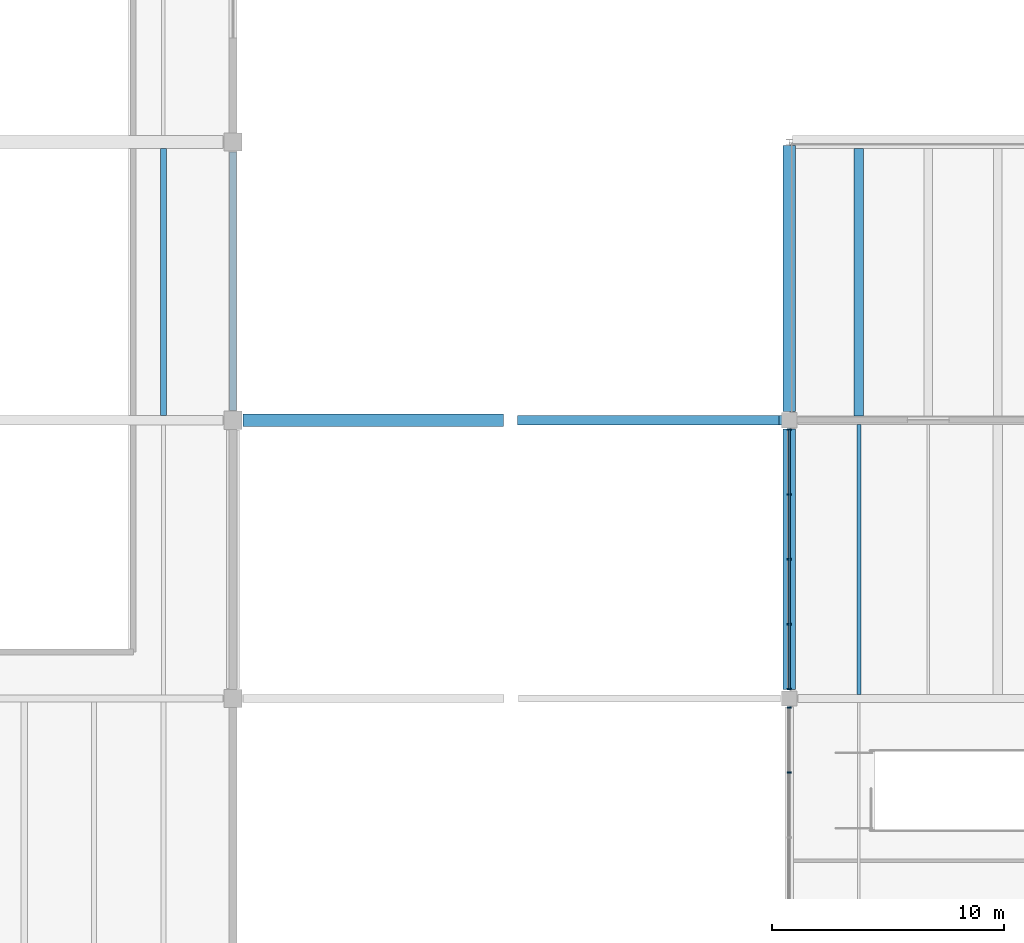
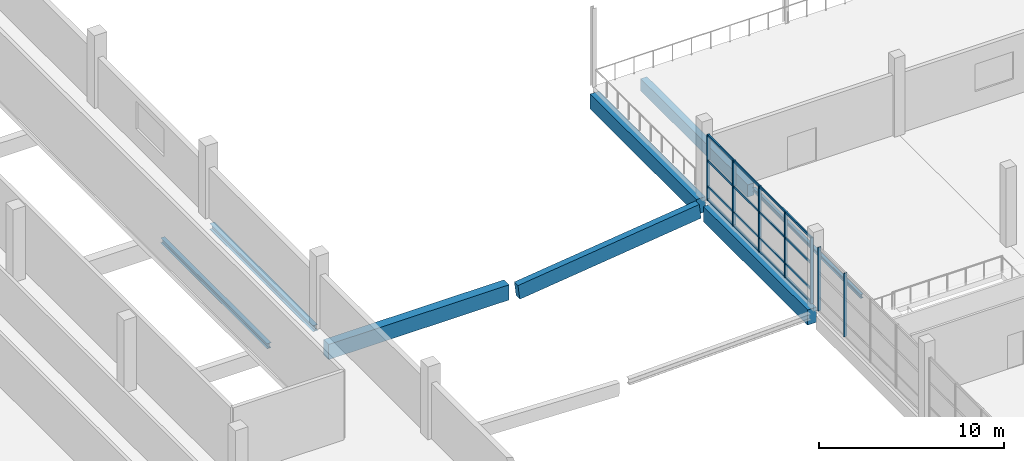
# One storey, part 20 of 112: 11 members, 8 beams, 2 elements without a shape of their own.
"""IFC4 building model written with IfcOpenShell, lengths in metres."""

import ifcopenshell
import ifcopenshell.guid

model = None  # the IFC model being written
_history = None  # IfcOwnerHistory: only IFC2X3 demands one
_inside = {}  # id of a spatial element -> (the spatial element, [elements in it])
_under = {}  # id of a project, library or spatial element -> (it, [spatial elements below it])
_declared = {}  # id of a project -> (the project, [libraries it declares])
_typed = {}  # id of a type object -> (the type object, [elements of that type])
_made_of = {}  # id of a material, layer set ... -> (it, [elements and type objects made of it])


def new_model(schema):
    """Start an empty IFC model of exactly this schema.

    Asked for "IFC4X3", IfcOpenShell would pick the latest addendum, in which some entities
    have other attributes; the version numbers below select the first issue.
    IFC2X3 requires an IfcOwnerHistory on every rooted entity: one is made here for all.
    """
    global model, _history
    if schema == "IFC4X3":
        model = ifcopenshell.file(schema_version=(4, 3, 0, 0))
    else:
        model = ifcopenshell.file(schema=schema)
    _inside.clear()
    _under.clear()
    _declared.clear()
    _typed.clear()
    _made_of.clear()
    _history = None
    if model.schema == "IFC2X3":
        org = make("IfcOrganization", Name="unknown")
        user = make(
            "IfcPersonAndOrganization",
            ThePerson=make("IfcPerson", FamilyName="unknown"),
            TheOrganization=org,
        )
        app = make(
            "IfcApplication",
            ApplicationDeveloper=org,
            Version="unknown",
            ApplicationFullName="unknown",
            ApplicationIdentifier="unknown",
        )
        _history = make(
            "IfcOwnerHistory",
            OwningUser=user,
            OwningApplication=app,
            ChangeAction="ADDED",
            CreationDate=0,
        )
    return model


def make(cls, **values):
    """One entity of the class cls with the attributes given. An attribute that is None is left unset."""
    return model.create_entity(
        cls, **{name: value for name, value in values.items() if value is not None}
    )


def rooted(cls, **values):
    """An entity with a GlobalId (a new one), such as an element, a storey or a relation."""
    return make(cls, GlobalId=ifcopenshell.guid.new(), OwnerHistory=_history, **values)


def si_unit(unit_type, name, prefix=None):
    """IfcSIUnit, for example si_unit("LENGTHUNIT", "METRE", prefix="MILLI")."""
    return make("IfcSIUnit", UnitType=unit_type, Prefix=prefix, Name=name)


def assignment(units):
    """IfcUnitAssignment: the units of a project."""
    return None if units is None else make("IfcUnitAssignment", Units=units)


def point(xyz):
    """IfcCartesianPoint."""
    return None if xyz is None else make("IfcCartesianPoint", Coordinates=xyz)


def direction(xyz):
    """IfcDirection."""
    return None if xyz is None else make("IfcDirection", DirectionRatios=xyz)


def frame(location, z_axis=None, x_axis=None):
    """IfcAxis2Placement3D, a coordinate frame: its origin and axes. An axis left out is left unset."""
    return make(
        "IfcAxis2Placement3D",
        Location=point(location),
        Axis=direction(z_axis),
        RefDirection=direction(x_axis),
    )


def frame_2d(location, x_axis=None):
    """IfcAxis2Placement2D, a coordinate frame in the plane: its origin and x axis."""
    return make(
        "IfcAxis2Placement2D", Location=point(location), RefDirection=direction(x_axis)
    )


def origin():
    """The frame at (0, 0, 0) with its axes left unset."""
    return frame((0.0, 0.0, 0.0))


def origin_2d():
    """The frame at (0, 0) in the plane with its x axis left unset."""
    return frame_2d((0.0, 0.0))


def place(relative_to, where):
    """IfcLocalPlacement: puts the frame where relative to a parent placement (None: the world)."""
    return make(
        "IfcLocalPlacement", PlacementRelTo=relative_to, RelativePlacement=where
    )


def context(
    kind, dimensions, precision=None, world=None, true_north=None, identifier=None
):
    """IfcGeometricRepresentationContext, for example the 3D "Model" context."""
    return make(
        "IfcGeometricRepresentationContext",
        ContextIdentifier=identifier,
        ContextType=kind,
        CoordinateSpaceDimension=dimensions,
        Precision=precision,
        WorldCoordinateSystem=world,
        TrueNorth=true_north,
    )


def subcontext(parent, identifier, kind, view, scale=None):
    """IfcGeometricRepresentationSubContext, for example "Body" below "Model"."""
    return make(
        "IfcGeometricRepresentationSubContext",
        ContextIdentifier=identifier,
        ContextType=kind,
        ParentContext=parent,
        TargetScale=scale,
        TargetView=view,
    )


def project(units=None, contexts=None):
    """IfcProject with its units and contexts."""
    return rooted(
        "IfcProject",
        Name="project",
        RepresentationContexts=contexts,
        UnitsInContext=assignment(units),
    )


def spatial(cls, under=None, at=None, **own):
    """A site, building, storey or space (cls), placed at a placement, below another one or the project."""
    s = rooted(cls, ObjectPlacement=at, **own)
    if under is not None:
        _under.setdefault(under.id(), (under, []))[1].append(s)
    return s


def profile(cls, at=None, kind="AREA", **sizes):
    """A parametric profile (cls). Its sizes go by their IFC names, for example OverallWidth=200.0."""
    return make(cls, ProfileType=kind, Position=at, **sizes)


def rectangle(**sizes):
    """IfcRectangleProfileDef."""
    return profile("IfcRectangleProfileDef", **sizes)


def i_section(**sizes):
    """IfcIShapeProfileDef."""
    return profile("IfcIShapeProfileDef", **sizes)


def extrude(swept, where, along, depth):
    """IfcExtrudedAreaSolid: the profile swept, set in the frame where, extruded along a direction by depth."""
    return make(
        "IfcExtrudedAreaSolid",
        SweptArea=swept,
        Position=where,
        ExtrudedDirection=direction(along),
        Depth=depth,
    )


def shape(context_of_items, identifier, shape_type, items):
    """IfcShapeRepresentation: the items that make up one representation, for example the "Body"."""
    return make(
        "IfcShapeRepresentation",
        ContextOfItems=context_of_items,
        RepresentationIdentifier=identifier,
        RepresentationType=shape_type,
        Items=items,
    )


def material(Name=None, Category=None):
    """IfcMaterial."""
    return make("IfcMaterial", Name=Name, Category=Category)


def material_profile(
    of_material, cross_section, Name=None, Category=None, Priority=None
):
    """IfcMaterialProfile: a cross section and its material."""
    return make(
        "IfcMaterialProfile",
        Name=Name,
        Material=of_material,
        Profile=cross_section,
        Priority=Priority,
        Category=Category,
    )


def profile_set(profiles, Name=None, composite=None):
    """IfcMaterialProfileSet."""
    return make(
        "IfcMaterialProfileSet",
        Name=Name,
        MaterialProfiles=profiles,
        CompositeProfile=composite,
    )


def made_of(thing, what):
    """Note that an element or type object is made of a material, layer set ...; save() writes the relation."""
    if what is not None:
        _made_of.setdefault(what.id(), (what, []))[1].append(thing)
    return thing


def type_object(cls, material=None, **own):
    """A type object (cls), such as IfcWallType, which elements share."""
    return made_of(rooted(cls, **own), material)


def element(
    cls,
    number,
    at=None,
    inside=None,
    cuts=None,
    type_object=None,
    material=None,
    context=None,
    identifier="Body",
    shape_type=None,
    held_by="IfcProductDefinitionShape",
    body=None,
    shapes=None,
    **own,
):
    """One element of the class cls, such as IfcWall. Its Tag is "e" and its number.

    at: its placement. inside: the storey or other place that contains it. cuts: it is an
    opening in that element (IfcRelVoidsElement). A single representation is given by context,
    identifier, shape_type and body (its items); several are given by shapes. held_by: the class
    of the entity that holds the representations. save() writes the other relations.
    """
    e = rooted(cls, Tag="e%d" % number, ObjectPlacement=at, **own)
    if body is not None:
        shapes = [shape(context, identifier, shape_type, body)]
    if shapes is not None:
        e.Representation = make(held_by, Representations=shapes)
    if inside is not None:
        _inside.setdefault(inside.id(), (inside, []))[1].append(e)
    if cuts is not None:
        rooted(
            "IfcRelVoidsElement", RelatingBuildingElement=cuts, RelatedOpeningElement=e
        )
    if type_object is not None:
        _typed.setdefault(type_object.id(), (type_object, []))[1].append(e)
    return made_of(e, material)


def aggregate(whole, parts):
    """IfcRelAggregates: a whole, such as a stair, and the parts it consists of."""
    return rooted("IfcRelAggregates", RelatingObject=whole, RelatedObjects=parts)


def save(model, path):
    """Write the relations noted so far, then the file.

    IfcRelAggregates (storeys below a building ...), IfcRelContainedInSpatialStructure (elements
    in a storey), IfcRelDefinesByType, IfcRelAssociatesMaterial and IfcRelDeclares: one each for
    every whole, place, type object, material and project.
    """
    for whole, parts in _under.values():
        aggregate(whole, parts)
    for where, things in _inside.values():
        rooted(
            "IfcRelContainedInSpatialStructure",
            RelatedElements=things,
            RelatingStructure=where,
        )
    for kind, things in _typed.values():
        rooted("IfcRelDefinesByType", RelatedObjects=things, RelatingType=kind)
    for what, things in _made_of.values():
        rooted("IfcRelAssociatesMaterial", RelatedObjects=things, RelatingMaterial=what)
    for by, libraries in _declared.values():
        rooted("IfcRelDeclares", RelatingContext=by, RelatedDefinitions=libraries)
    model.write(path)


model = new_model("IFC4")

# Units and contexts
model_context = context("Model", 3, precision=1e-05, world=origin(), true_north=direction((0.0, 1.0)))
body_context = subcontext(model_context, "Body", "Model", "MODEL_VIEW")
ifc_project = project(units=[si_unit("LENGTHUNIT", "METRE"), si_unit("AREAUNIT", "SQUARE_METRE"), si_unit("VOLUMEUNIT", "CUBIC_METRE"), si_unit("PLANEANGLEUNIT", "RADIAN"), si_unit("MASSUNIT", "GRAM", prefix="KILO")], contexts=[model_context])

# Site, building, storey
site_placement = place(None, origin())
site = spatial("IfcSite", under=ifc_project, at=site_placement, CompositionType="ELEMENT")
building_placement = place(site_placement, origin())
building = spatial("IfcBuilding", under=site, at=building_placement, Name="Kamomehara Wholesale Market", CompositionType="ELEMENT")
storey_placement = place(building_placement, frame((0.0, 0.0, 6.60009765625)))
storey = spatial("IfcBuildingStorey", under=building, at=storey_placement, Name="L01", CompositionType="ELEMENT", Elevation=6.60009765625)

# Beams
ifc_material_1 = material(Name="Precast concrete Fc45 (C40/50)", Category="concrete")
ifc_material_profile_1 = material_profile(ifc_material_1, rectangle(XDim=0.39990234375, YDim=0.800048828125, at=origin_2d()), Name="PC-JST-400x800")
ifc_profile_set_1 = profile_set([ifc_material_profile_1], Name="Precast concrete Fc45 (C40/50)")
beam_type_1 = type_object("IfcBeamType", Name="BM-PJ800", PredefinedType="JOIST", material=ifc_profile_set_1)
beam_1_placement = place(storey_placement, frame((63.0, 60.175048828125, -0.737060546875), z_axis=(0.0, 1.0, 0.0), x_axis=(-1.0, 0.0, 0.0)))
element("IfcBeam", 1, at=beam_1_placement, inside=storey, type_object=beam_type_1, Name="Beam PJ-01 L01", PredefinedType="JOIST", context=body_context, shape_type="SweptSolid", body=[
    extrude(rectangle(XDim=0.39990234375, YDim=0.800048828125, at=origin_2d()), origin(), (0.0, 0.0, 1.0), 11.550048828125),
])
ifc_material_2 = material(Name="Concrete Fc36 (C35/45)", Category="concrete")
ifc_material_profile_2 = material_profile(ifc_material_2, rectangle(XDim=0.550048828125, YDim=1.0, at=origin_2d()), Name="RC-SEB-550x1000")
ifc_profile_set_2 = profile_set([ifc_material_profile_2], Name="Concrete Fc36 (C35/45)")
beam_type_2 = type_object("IfcBeamType", Name="BM-SEB1000-EXT", PredefinedType="SPANDREL", material=ifc_profile_set_2)
for number, where, z_axis, x_axis, name in (
    (2, (60.0, 48.375, -0.842041015625), (0.0, 1.0, 0.0), (-1.0, 0.0, 0.0), "Beam SEB-03E L01"),
    (3, (36.425048828125, 60.0, -1.842041015625), (1.0, 0.0, 0.0), (0.0, 1.0, 0.0), "Beam SEB-03E L01"),
):
    element("IfcBeam", number, at=place(storey_placement, frame(where, z_axis=z_axis, x_axis=x_axis)), inside=storey, type_object=beam_type_2, Name=name, PredefinedType="SPANDREL", context=body_context, shape_type="SweptSolid", body=[
        extrude(rectangle(XDim=0.550048828125, YDim=1.0, at=origin_2d()), origin(), (0.0, 0.0, 1.0), 11.25),
    ])
beam_2_placement = place(storey_placement, frame((60.0, 60.375, -0.837158203125), z_axis=(0.0, 1.0, 0.0), x_axis=(-1.0, 0.0, 0.0)))
element("IfcBeam", 4, at=beam_2_placement, inside=storey, type_object=beam_type_2, Name="Beam SEB-03E L01", PredefinedType="SPANDREL", context=body_context, shape_type="SweptSolid", body=[
    extrude(rectangle(XDim=0.550048828125, YDim=1.0, at=origin_2d()), origin(), (0.0, 0.0, 1.0), 11.47509765625),
])
ifc_material_3 = material(Name="Precast concrete Fc45 (C40/50)", Category="concrete")
ifc_material_profile_3 = material_profile(ifc_material_3, rectangle(XDim=0.39990234375, YDim=0.949951171875, at=origin_2d()), Name="PC-SPN-400x950")
ifc_profile_set_3 = profile_set([ifc_material_profile_3], Name="Precast concrete Fc45 (C40/50)")
beam_type_3 = type_object("IfcBeamType", Name="BM-SPN950-EXT", PredefinedType="SPANDREL", material=ifc_profile_set_3)
beam_3_placement = place(storey_placement, frame((48.324951171875, 60.0, -2.12109375), z_axis=(0.992520407394, 0.0, 0.122078830707), x_axis=(0.0, 1.0, 0.0)))
element("IfcBeam", 5, at=beam_3_placement, inside=storey, type_object=beam_type_3, Name="Beam SPN-01E L01", PredefinedType="SPANDREL", context=body_context, shape_type="SweptSolid", body=[
    extrude(rectangle(XDim=0.39990234375, YDim=0.949951171875, at=origin_2d()), origin(), (0.0, 0.0, 1.0), 11.38525390625),
])
ifc_material_4 = material(Name="Steel SN400B", Category="steel")
ifc_material_profile_4 = material_profile(ifc_material_4, i_section(OverallWidth=0.175048828125, OverallDepth=0.243896484375, WebThickness=0.007080078125, FlangeThickness=0.010986328125, FilletRadius=0.010986328125, at=origin_2d()), Name="H-244x175x7x11")
ifc_profile_set_4 = profile_set([ifc_material_profile_4], Name="Steel SN400B")
beam_type_4 = type_object("IfcBeamType", Name="BM-ST-H244", PredefinedType="JOIST", material=ifc_profile_set_4)
beam_4_placement = place(storey_placement, frame((63.0, 48.175048828125, -0.464111328125), z_axis=(0.0, 1.0, 0.0), x_axis=(-1.0, 0.0, 0.0)))
element("IfcBeam", 6, at=beam_4_placement, inside=storey, type_object=beam_type_4, Name="Beam SJ-10 L01", PredefinedType="JOIST", context=body_context, shape_type="SweptSolid", body=[
    extrude(i_section(OverallWidth=0.175048828125, OverallDepth=0.243896484375, WebThickness=0.007080078125, FlangeThickness=0.010986328125, FilletRadius=0.010986328125, at=origin_2d()), origin(), (0.0, 0.0, 1.0), 11.64990234375),
])
ifc_material_5 = material(Name="Steel SN490B", Category="steel")
ifc_material_profile_5 = material_profile(ifc_material_5, i_section(OverallWidth=0.25, OverallDepth=0.340087890625, WebThickness=0.009033203125, FlangeThickness=0.013916015625, FilletRadius=0.012939453125, at=origin_2d()), Name="H-340x250x9x14")
ifc_profile_set_5 = profile_set([ifc_material_profile_5], Name="Steel SN490B")
beam_type_5 = type_object("IfcBeamType", Name="BM-ST-H340", PredefinedType="JOIST", material=ifc_profile_set_5)
beam_5_placement = place(storey_placement, frame((33.0, 60.199951171875, -0.51220703125), z_axis=(0.0, 1.0, 0.0), x_axis=(-1.0, 0.0, 0.0)))
element("IfcBeam", 7, at=beam_5_placement, inside=storey, type_object=beam_type_5, Name="Beam SJ-08 L01", PredefinedType="JOIST", context=body_context, shape_type="SweptSolid", body=[
    extrude(i_section(OverallWidth=0.25, OverallDepth=0.340087890625, WebThickness=0.009033203125, FlangeThickness=0.013916015625, FilletRadius=0.012939453125, at=origin_2d()), origin(), (0.0, 0.0, 1.0), 11.525146484375),
])
ifc_material_6 = material(Name="Steel SN490B", Category="steel")
ifc_material_profile_6 = material_profile(ifc_material_6, i_section(OverallWidth=0.300048828125, OverallDepth=0.389892578125, WebThickness=0.010009765625, FlangeThickness=0.01611328125, FilletRadius=0.01806640625, at=origin_2d()), Name="H-390x300x10x16")
ifc_profile_set_6 = profile_set([ifc_material_profile_6], Name="Steel SN490B")
beam_type_6 = type_object("IfcBeamType", Name="BM-ST-H390-EXT", PredefinedType="SPANDREL", material=ifc_profile_set_6)
beam_6_placement = place(storey_placement, frame((36.0, 60.425048828125, -0.537109375), z_axis=(0.0, 1.0, 0.0), x_axis=(-1.0, 0.0, 0.0)))
element("IfcBeam", 8, at=beam_6_placement, inside=storey, type_object=beam_type_6, Name="Beam SJ-03E L01", PredefinedType="SPANDREL", context=body_context, shape_type="SweptSolid", body=[
    extrude(i_section(OverallWidth=0.300048828125, OverallDepth=0.389892578125, WebThickness=0.010009765625, FlangeThickness=0.01611328125, FilletRadius=0.01806640625, at=origin_2d()), origin(), (0.0, 0.0, 1.0), 11.14990234375),
])

# Curtain wall, members
ifc_material_7 = material(Name="Anodised aluminium 6063-T5", Category="aluminium")
curtain_wall_type = type_object("IfcCurtainWallType", Name="CW-UN-06", PredefinedType="NOTDEFINED", material=ifc_material_7)
curtain_wall_1_placement = place(storey_placement, origin())
curtain_wall_1 = element("IfcCurtainWall", 9, at=curtain_wall_1_placement, inside=storey, type_object=curtain_wall_type, Name="Unitised curtain wall CW-131", PredefinedType="NOTDEFINED")
ifc_material_8 = material(Name="Anodised aluminium 6063-T5", Category="aluminium")
ifc_material_profile_7 = material_profile(ifc_material_8, rectangle(XDim=0.074951171875, YDim=0.179931640625, at=origin_2d()), Name="ALU-MUL-75x180")
ifc_profile_set_7 = profile_set([ifc_material_profile_7], Name="Anodised aluminium 6063-T5")
member_type_1 = type_object("IfcMemberType", Name="CW-MUL-180", PredefinedType="MULLION", material=ifc_profile_set_7)
member_1_placement = place(storey_placement, frame((60.0, 44.800048828125, 0.0), z_axis=(0.0, 0.0, 1.0), x_axis=(0.0, 1.0, 0.0)))
member_1 = element("IfcMember", 10, at=member_1_placement, type_object=member_type_1, Name="Mullion CW-131.3", PredefinedType="MULLION", context=body_context, shape_type="SweptSolid", body=[
    extrude(rectangle(XDim=0.074951171875, YDim=0.179931640625, at=origin_2d()), origin(), (0.0, 0.0, 1.0), 4.179931640625),
])
member_2_placement = place(storey_placement, frame((60.0, 47.60009765625, 0.0), z_axis=(0.0, 0.0, 1.0), x_axis=(0.0, 1.0, 0.0)))
member_2 = element("IfcMember", 11, at=member_2_placement, type_object=member_type_1, Name="Mullion CW-131.4", PredefinedType="MULLION", context=body_context, shape_type="SweptSolid", body=[
    extrude(rectangle(XDim=0.074951171875, YDim=0.179931640625, at=origin_2d()), origin(), (0.0, 0.0, 1.0), 4.179931640625),
])
aggregate(curtain_wall_1, [member_1, member_2])

curtain_wall_2_placement = place(storey_placement, origin())
curtain_wall_2 = element("IfcCurtainWall", 12, at=curtain_wall_2_placement, inside=storey, type_object=curtain_wall_type, Name="Unitised curtain wall CW-132", PredefinedType="NOTDEFINED")
member_3_placement = place(storey_placement, frame((60.0, 48.39990234375, 0.0), z_axis=(0.0, 0.0, 1.0), x_axis=(0.0, 1.0, 0.0)))
member_3 = element("IfcMember", 13, at=member_3_placement, type_object=member_type_1, Name="Mullion CW-132.0", PredefinedType="MULLION", context=body_context, shape_type="SweptSolid", body=[
    extrude(rectangle(XDim=0.074951171875, YDim=0.179931640625, at=origin_2d()), origin(), (0.0, 0.0, 1.0), 4.329833984375),
])
member_4_placement = place(storey_placement, frame((60.0, 51.199951171875, 0.0), z_axis=(0.0, 0.0, 1.0), x_axis=(0.0, 1.0, 0.0)))
member_4 = element("IfcMember", 14, at=member_4_placement, type_object=member_type_1, Name="Mullion CW-132.1", PredefinedType="MULLION", context=body_context, shape_type="SweptSolid", body=[
    extrude(rectangle(XDim=0.074951171875, YDim=0.179931640625, at=origin_2d()), origin(), (0.0, 0.0, 1.0), 4.329833984375),
])
member_5_placement = place(storey_placement, frame((60.0, 54.0, 0.0), z_axis=(0.0, 0.0, 1.0), x_axis=(0.0, 1.0, 0.0)))
member_5 = element("IfcMember", 15, at=member_5_placement, type_object=member_type_1, Name="Mullion CW-132.2", PredefinedType="MULLION", context=body_context, shape_type="SweptSolid", body=[
    extrude(rectangle(XDim=0.074951171875, YDim=0.179931640625, at=origin_2d()), origin(), (0.0, 0.0, 1.0), 4.329833984375),
])
member_6_placement = place(storey_placement, frame((60.0, 56.800048828125, 0.0), z_axis=(0.0, 0.0, 1.0), x_axis=(0.0, 1.0, 0.0)))
member_6 = element("IfcMember", 16, at=member_6_placement, type_object=member_type_1, Name="Mullion CW-132.3", PredefinedType="MULLION", context=body_context, shape_type="SweptSolid", body=[
    extrude(rectangle(XDim=0.074951171875, YDim=0.179931640625, at=origin_2d()), origin(), (0.0, 0.0, 1.0), 4.329833984375),
])
member_7_placement = place(storey_placement, frame((60.0, 59.60009765625, 0.0), z_axis=(0.0, 0.0, 1.0), x_axis=(0.0, 1.0, 0.0)))
member_7 = element("IfcMember", 17, at=member_7_placement, type_object=member_type_1, Name="Mullion CW-132.4", PredefinedType="MULLION", context=body_context, shape_type="SweptSolid", body=[
    extrude(rectangle(XDim=0.074951171875, YDim=0.179931640625, at=origin_2d()), origin(), (0.0, 0.0, 1.0), 4.329833984375),
])
ifc_material_9 = material(Name="Anodised aluminium 6063-T5", Category="aluminium")
ifc_material_profile_8 = material_profile(ifc_material_9, rectangle(XDim=0.074951171875, YDim=0.14990234375, at=origin_2d()), Name="ALU-TRN-75x150")
ifc_profile_set_8 = profile_set([ifc_material_profile_8], Name="Anodised aluminium 6063-T5")
member_type_2 = type_object("IfcMemberType", Name="CW-TRN-150", PredefinedType="USERDEFINED", material=ifc_profile_set_8)
member_8_placement = place(storey_placement, frame((60.0, 48.39990234375, 0.039794921875), z_axis=(0.0, 1.0, 0.0), x_axis=(-1.0, 0.0, 0.0)))
member_8 = element("IfcMember", 18, at=member_8_placement, type_object=member_type_2, Name="Transom CW-132.0", ObjectType="TRANSOM", PredefinedType="USERDEFINED", context=body_context, shape_type="SweptSolid", body=[
    extrude(rectangle(XDim=0.074951171875, YDim=0.14990234375, at=origin_2d()), origin(), (0.0, 0.0, 1.0), 11.2001953125),
])
member_9_placement = place(storey_placement, frame((60.0, 48.39990234375, 0.89990234375), z_axis=(0.0, 1.0, 0.0), x_axis=(-1.0, 0.0, 0.0)))
member_9 = element("IfcMember", 19, at=member_9_placement, type_object=member_type_2, Name="Transom CW-132.1", ObjectType="TRANSOM", PredefinedType="USERDEFINED", context=body_context, shape_type="SweptSolid", body=[
    extrude(rectangle(XDim=0.074951171875, YDim=0.14990234375, at=origin_2d()), origin(), (0.0, 0.0, 1.0), 11.2001953125),
])
member_10_placement = place(storey_placement, frame((60.0, 48.39990234375, 2.614990234375), z_axis=(0.0, 1.0, 0.0), x_axis=(-1.0, 0.0, 0.0)))
member_10 = element("IfcMember", 20, at=member_10_placement, type_object=member_type_2, Name="Transom CW-132.2", ObjectType="TRANSOM", PredefinedType="USERDEFINED", context=body_context, shape_type="SweptSolid", body=[
    extrude(rectangle(XDim=0.074951171875, YDim=0.14990234375, at=origin_2d()), origin(), (0.0, 0.0, 1.0), 11.2001953125),
])
member_11_placement = place(storey_placement, frame((60.0, 48.39990234375, 4.289794921875), z_axis=(0.0, 1.0, 0.0), x_axis=(-1.0, 0.0, 0.0)))
member_11 = element("IfcMember", 21, at=member_11_placement, type_object=member_type_2, Name="Transom CW-132.3", ObjectType="TRANSOM", PredefinedType="USERDEFINED", context=body_context, shape_type="SweptSolid", body=[
    extrude(rectangle(XDim=0.074951171875, YDim=0.14990234375, at=origin_2d()), origin(), (0.0, 0.0, 1.0), 11.2001953125),
])
aggregate(curtain_wall_2, [member_3, member_4, member_5, member_6, member_7, member_8, member_9, member_10, member_11])

save(model, "model.ifc")
